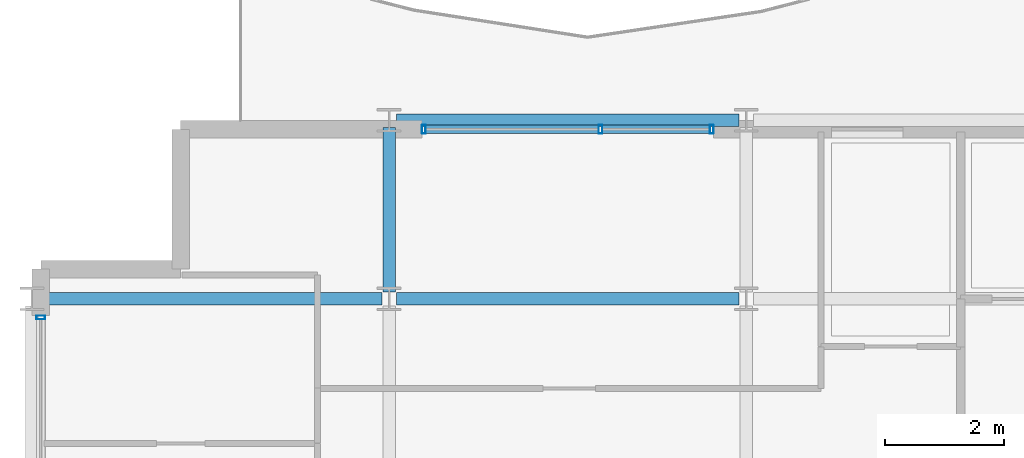
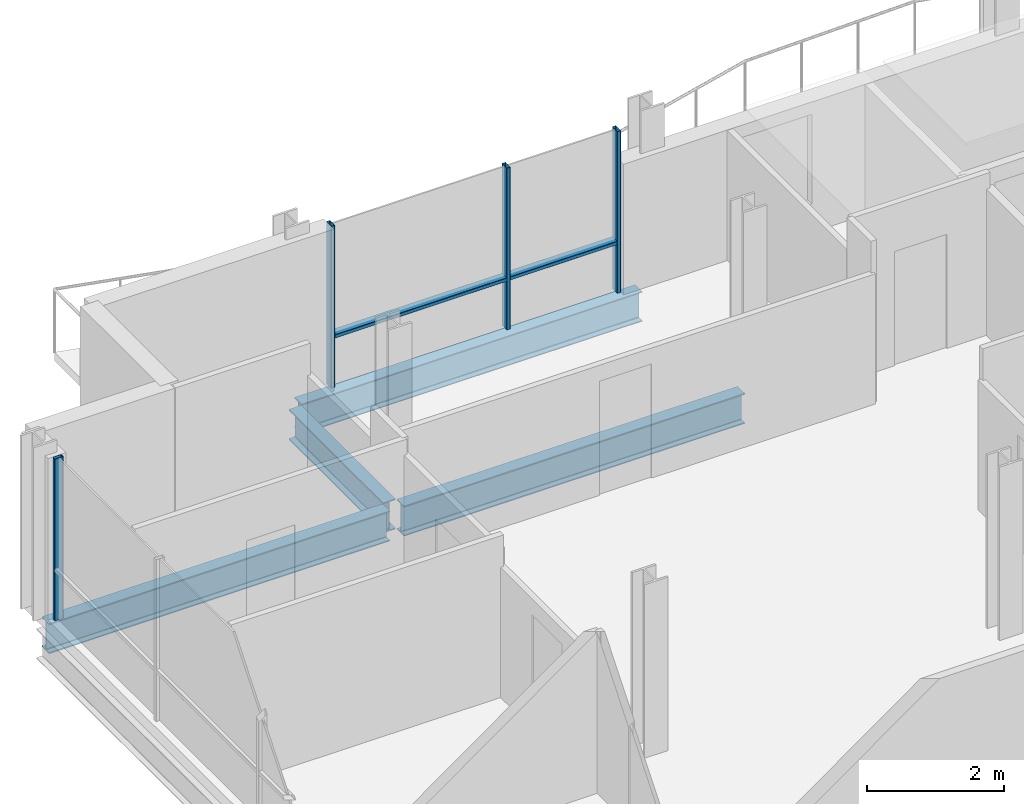
# One storey, part 8 of 35: 6 members, 4 beams, 2 elements without a shape of their own.
"""IFC4 building model written with IfcOpenShell, lengths in metres."""

import ifcopenshell
import ifcopenshell.guid

model = None  # the IFC model being written
_history = None  # IfcOwnerHistory: only IFC2X3 demands one
_inside = {}  # id of a spatial element -> (the spatial element, [elements in it])
_under = {}  # id of a project, library or spatial element -> (it, [spatial elements below it])
_declared = {}  # id of a project -> (the project, [libraries it declares])
_typed = {}  # id of a type object -> (the type object, [elements of that type])
_made_of = {}  # id of a material, layer set ... -> (it, [elements and type objects made of it])


def new_model(schema):
    """Start an empty IFC model of exactly this schema.

    Asked for "IFC4X3", IfcOpenShell would pick the latest addendum, in which some entities
    have other attributes; the version numbers below select the first issue.
    IFC2X3 requires an IfcOwnerHistory on every rooted entity: one is made here for all.
    """
    global model, _history
    if schema == "IFC4X3":
        model = ifcopenshell.file(schema_version=(4, 3, 0, 0))
    else:
        model = ifcopenshell.file(schema=schema)
    _inside.clear()
    _under.clear()
    _declared.clear()
    _typed.clear()
    _made_of.clear()
    _history = None
    if model.schema == "IFC2X3":
        org = make("IfcOrganization", Name="unknown")
        user = make(
            "IfcPersonAndOrganization",
            ThePerson=make("IfcPerson", FamilyName="unknown"),
            TheOrganization=org,
        )
        app = make(
            "IfcApplication",
            ApplicationDeveloper=org,
            Version="unknown",
            ApplicationFullName="unknown",
            ApplicationIdentifier="unknown",
        )
        _history = make(
            "IfcOwnerHistory",
            OwningUser=user,
            OwningApplication=app,
            ChangeAction="ADDED",
            CreationDate=0,
        )
    return model


def make(cls, **values):
    """One entity of the class cls with the attributes given. An attribute that is None is left unset."""
    return model.create_entity(
        cls, **{name: value for name, value in values.items() if value is not None}
    )


def rooted(cls, **values):
    """An entity with a GlobalId (a new one), such as an element, a storey or a relation."""
    return make(cls, GlobalId=ifcopenshell.guid.new(), OwnerHistory=_history, **values)


def si_unit(unit_type, name, prefix=None):
    """IfcSIUnit, for example si_unit("LENGTHUNIT", "METRE", prefix="MILLI")."""
    return make("IfcSIUnit", UnitType=unit_type, Prefix=prefix, Name=name)


def assignment(units):
    """IfcUnitAssignment: the units of a project."""
    return None if units is None else make("IfcUnitAssignment", Units=units)


def point(xyz):
    """IfcCartesianPoint."""
    return None if xyz is None else make("IfcCartesianPoint", Coordinates=xyz)


def direction(xyz):
    """IfcDirection."""
    return None if xyz is None else make("IfcDirection", DirectionRatios=xyz)


def frame(location, z_axis=None, x_axis=None):
    """IfcAxis2Placement3D, a coordinate frame: its origin and axes. An axis left out is left unset."""
    return make(
        "IfcAxis2Placement3D",
        Location=point(location),
        Axis=direction(z_axis),
        RefDirection=direction(x_axis),
    )


def frame_2d(location, x_axis=None):
    """IfcAxis2Placement2D, a coordinate frame in the plane: its origin and x axis."""
    return make(
        "IfcAxis2Placement2D", Location=point(location), RefDirection=direction(x_axis)
    )


def origin():
    """The frame at (0, 0, 0) with its axes left unset."""
    return frame((0.0, 0.0, 0.0))


def origin_2d():
    """The frame at (0, 0) in the plane with its x axis left unset."""
    return frame_2d((0.0, 0.0))


def place(relative_to, where):
    """IfcLocalPlacement: puts the frame where relative to a parent placement (None: the world)."""
    return make(
        "IfcLocalPlacement", PlacementRelTo=relative_to, RelativePlacement=where
    )


def context(
    kind, dimensions, precision=None, world=None, true_north=None, identifier=None
):
    """IfcGeometricRepresentationContext, for example the 3D "Model" context."""
    return make(
        "IfcGeometricRepresentationContext",
        ContextIdentifier=identifier,
        ContextType=kind,
        CoordinateSpaceDimension=dimensions,
        Precision=precision,
        WorldCoordinateSystem=world,
        TrueNorth=true_north,
    )


def subcontext(parent, identifier, kind, view, scale=None):
    """IfcGeometricRepresentationSubContext, for example "Body" below "Model"."""
    return make(
        "IfcGeometricRepresentationSubContext",
        ContextIdentifier=identifier,
        ContextType=kind,
        ParentContext=parent,
        TargetScale=scale,
        TargetView=view,
    )


def project(units=None, contexts=None):
    """IfcProject with its units and contexts."""
    return rooted(
        "IfcProject",
        Name="project",
        RepresentationContexts=contexts,
        UnitsInContext=assignment(units),
    )


def spatial(cls, under=None, at=None, **own):
    """A site, building, storey or space (cls), placed at a placement, below another one or the project."""
    s = rooted(cls, ObjectPlacement=at, **own)
    if under is not None:
        _under.setdefault(under.id(), (under, []))[1].append(s)
    return s


def profile(cls, at=None, kind="AREA", **sizes):
    """A parametric profile (cls). Its sizes go by their IFC names, for example OverallWidth=200.0."""
    return make(cls, ProfileType=kind, Position=at, **sizes)


def hollow_rectangle(**sizes):
    """IfcRectangleHollowProfileDef."""
    return profile("IfcRectangleHollowProfileDef", **sizes)


def i_section(**sizes):
    """IfcIShapeProfileDef."""
    return profile("IfcIShapeProfileDef", **sizes)


def extrude(swept, where, along, depth):
    """IfcExtrudedAreaSolid: the profile swept, set in the frame where, extruded along a direction by depth."""
    return make(
        "IfcExtrudedAreaSolid",
        SweptArea=swept,
        Position=where,
        ExtrudedDirection=direction(along),
        Depth=depth,
    )


def shape(context_of_items, identifier, shape_type, items):
    """IfcShapeRepresentation: the items that make up one representation, for example the "Body"."""
    return make(
        "IfcShapeRepresentation",
        ContextOfItems=context_of_items,
        RepresentationIdentifier=identifier,
        RepresentationType=shape_type,
        Items=items,
    )


def material(Name=None, Category=None):
    """IfcMaterial."""
    return make("IfcMaterial", Name=Name, Category=Category)


def layer(
    of_material, thickness, ventilated=None, Name=None, Category=None, Priority=None
):
    """IfcMaterialLayer: one layer of a wall or slab, of a material (None: an air gap)."""
    return make(
        "IfcMaterialLayer",
        Material=of_material,
        LayerThickness=thickness,
        IsVentilated=ventilated,
        Name=Name,
        Category=Category,
        Priority=Priority,
    )


def layer_set(layers, Name=None):
    """IfcMaterialLayerSet."""
    return make("IfcMaterialLayerSet", MaterialLayers=layers, LayerSetName=Name)


def material_profile(
    of_material, cross_section, Name=None, Category=None, Priority=None
):
    """IfcMaterialProfile: a cross section and its material."""
    return make(
        "IfcMaterialProfile",
        Name=Name,
        Material=of_material,
        Profile=cross_section,
        Priority=Priority,
        Category=Category,
    )


def profile_set(profiles, Name=None, composite=None):
    """IfcMaterialProfileSet."""
    return make(
        "IfcMaterialProfileSet",
        Name=Name,
        MaterialProfiles=profiles,
        CompositeProfile=composite,
    )


def made_of(thing, what):
    """Note that an element or type object is made of a material, layer set ...; save() writes the relation."""
    if what is not None:
        _made_of.setdefault(what.id(), (what, []))[1].append(thing)
    return thing


def type_object(cls, material=None, **own):
    """A type object (cls), such as IfcWallType, which elements share."""
    return made_of(rooted(cls, **own), material)


def element(
    cls,
    number,
    at=None,
    inside=None,
    cuts=None,
    type_object=None,
    material=None,
    context=None,
    identifier="Body",
    shape_type=None,
    held_by="IfcProductDefinitionShape",
    body=None,
    shapes=None,
    **own,
):
    """One element of the class cls, such as IfcWall. Its Tag is "e" and its number.

    at: its placement. inside: the storey or other place that contains it. cuts: it is an
    opening in that element (IfcRelVoidsElement). A single representation is given by context,
    identifier, shape_type and body (its items); several are given by shapes. held_by: the class
    of the entity that holds the representations. save() writes the other relations.
    """
    e = rooted(cls, Tag="e%d" % number, ObjectPlacement=at, **own)
    if body is not None:
        shapes = [shape(context, identifier, shape_type, body)]
    if shapes is not None:
        e.Representation = make(held_by, Representations=shapes)
    if inside is not None:
        _inside.setdefault(inside.id(), (inside, []))[1].append(e)
    if cuts is not None:
        rooted(
            "IfcRelVoidsElement", RelatingBuildingElement=cuts, RelatedOpeningElement=e
        )
    if type_object is not None:
        _typed.setdefault(type_object.id(), (type_object, []))[1].append(e)
    return made_of(e, material)


def aggregate(whole, parts):
    """IfcRelAggregates: a whole, such as a stair, and the parts it consists of."""
    return rooted("IfcRelAggregates", RelatingObject=whole, RelatedObjects=parts)


def save(model, path):
    """Write the relations noted so far, then the file.

    IfcRelAggregates (storeys below a building ...), IfcRelContainedInSpatialStructure (elements
    in a storey), IfcRelDefinesByType, IfcRelAssociatesMaterial and IfcRelDeclares: one each for
    every whole, place, type object, material and project.
    """
    for whole, parts in _under.values():
        aggregate(whole, parts)
    for where, things in _inside.values():
        rooted(
            "IfcRelContainedInSpatialStructure",
            RelatedElements=things,
            RelatingStructure=where,
        )
    for kind, things in _typed.values():
        rooted("IfcRelDefinesByType", RelatedObjects=things, RelatingType=kind)
    for what, things in _made_of.values():
        rooted("IfcRelAssociatesMaterial", RelatedObjects=things, RelatingMaterial=what)
    for by, libraries in _declared.values():
        rooted("IfcRelDeclares", RelatingContext=by, RelatedDefinitions=libraries)
    model.write(path)


model = new_model("IFC4")

# Units and contexts
model_context = context("Model", 3, precision=1e-05, world=origin(), true_north=direction((0.0, 1.0)))
body_context = subcontext(model_context, "Body", "Model", "MODEL_VIEW")
ifc_project = project(units=[si_unit("LENGTHUNIT", "METRE"), si_unit("AREAUNIT", "SQUARE_METRE"), si_unit("VOLUMEUNIT", "CUBIC_METRE"), si_unit("PLANEANGLEUNIT", "RADIAN"), si_unit("MASSUNIT", "GRAM", prefix="KILO")], contexts=[model_context])

# Site, building, storey
site_placement = place(None, origin())
site = spatial("IfcSite", under=ifc_project, at=site_placement, CompositionType="ELEMENT")
building_placement = place(site_placement, origin())
building = spatial("IfcBuilding", under=site, at=building_placement, Name="Brevholm Reach", CompositionType="ELEMENT")
storey_placement = place(building_placement, frame((0.0, 0.0, 183.199951171875)))
storey = spatial("IfcBuildingStorey", under=building, at=storey_placement, Name="L55", CompositionType="ELEMENT", Elevation=183.199951171875)

# Beams
ifc_material_1 = material(Name="Structural Steel S355J2", Category="steel")
ifc_material_profile_1 = material_profile(ifc_material_1, i_section(OverallWidth=0.209228515625, OverallDepth=0.533203125, WebThickness=0.010009765625, FlangeThickness=0.015625, FilletRadius=0.0126953125, at=origin_2d()), Name="UKB 533x210x92")
ifc_profile_set_1 = profile_set([ifc_material_profile_1], Name="Structural Steel S355J2")
beam_type_1 = type_object("IfcBeamType", Name="BM-SP533", PredefinedType="SPANDREL", material=ifc_profile_set_1)
beam_1_placement = place(storey_placement, frame((6.1201171875, 26.5, -0.4765625), z_axis=(1.0, 0.0, 0.0), x_axis=(0.0, 1.0, 0.0)))
element("IfcBeam", 1, at=beam_1_placement, inside=storey, type_object=beam_type_1, Name="L55 SP-02 Framing Beam", PredefinedType="SPANDREL", context=body_context, shape_type="SweptSolid", body=[
    extrude(i_section(OverallWidth=0.209228515625, OverallDepth=0.533203125, WebThickness=0.010009765625, FlangeThickness=0.015625, FilletRadius=0.0126953125, at=origin_2d()), origin(), (0.0, 0.0, 1.0), 5.759765625),
])
ifc_material_2 = material(Name="Structural Steel S355J2", Category="steel")
ifc_material_profile_2 = material_profile(ifc_material_2, i_section(OverallWidth=0.210693359375, OverallDepth=0.53955078125, WebThickness=0.01171875, FlangeThickness=0.018798828125, FilletRadius=0.0126953125, at=origin_2d()), Name="UKB 533x210x109")
ifc_profile_set_2 = profile_set([ifc_material_profile_2], Name="Structural Steel S355J2")
beam_type_2 = type_object("IfcBeamType", Name="BM-SP539", PredefinedType="SPANDREL", material=ifc_profile_set_2)
for number, where, z_axis, x_axis, name in (
    (2, (0.1201171875, 23.5, -0.479736328125), (1.0, 0.0, 0.0), (0.0, 1.0, 0.0), "L55 SP-01B Framing Beam"),
    (3, (6.1201171875, 23.5, -0.479736328125), (1.0, 0.0, 0.0), (0.0, 1.0, 0.0), "L55 SP-01B Framing Beam"),
):
    element("IfcBeam", number, at=place(storey_placement, frame(where, z_axis=z_axis, x_axis=x_axis)), inside=storey, type_object=beam_type_2, Name=name, PredefinedType="SPANDREL", context=body_context, shape_type="SweptSolid", body=[
        extrude(i_section(OverallWidth=0.210693359375, OverallDepth=0.53955078125, WebThickness=0.01171875, FlangeThickness=0.018798828125, FilletRadius=0.0126953125, at=origin_2d()), origin(), (0.0, 0.0, 1.0), 5.759765625),
    ])
beam_2_placement = place(storey_placement, frame((6.0, 23.6201171875, -0.479736328125), z_axis=(0.0, 1.0, 0.0), x_axis=(-1.0, 0.0, 0.0)))
element("IfcBeam", 4, at=beam_2_placement, inside=storey, type_object=beam_type_2, Name="L55 SP-01B Framing Beam", PredefinedType="SPANDREL", context=body_context, shape_type="SweptSolid", body=[
    extrude(i_section(OverallWidth=0.210693359375, OverallDepth=0.53955078125, WebThickness=0.01171875, FlangeThickness=0.018798828125, FilletRadius=0.0126953125, at=origin_2d()), origin(), (0.0, 0.0, 1.0), 2.759765625),
])

# Curtain wall, member
ifc_material_3 = material(Name="Dark Anodised Aluminium 6063-T6 and Solar-Control Glass", Category="aluminium")
ifc_layer = layer(ifc_material_3, 0.14990234375)
ifc_layer_set = layer_set([ifc_layer], Name="Dark Anodised Aluminium 6063-T6 and Solar-Control Glass")
curtain_wall_type = type_object("IfcCurtainWallType", Name="CW-01", PredefinedType="NOTDEFINED", material=ifc_layer_set)
curtain_wall_1_placement = place(storey_placement, origin())
curtain_wall_1 = element("IfcCurtainWall", 5, at=curtain_wall_1_placement, inside=storey, type_object=curtain_wall_type, Name="L55 Curtain Wall CW-01", PredefinedType="NOTDEFINED")
ifc_material_4 = material(Name="Dark Anodised Aluminium 6063-T6", Category="aluminium")
ifc_material_profile_3 = material_profile(ifc_material_4, hollow_rectangle(XDim=0.06494140625, YDim=0.14990234375, WallThickness=0.0048828125, InnerFilletRadius=0.0048828125, OuterFilletRadius=0.010009765625, at=origin_2d()), Name="RHS 150x65x5")
ifc_profile_set_3 = profile_set([ifc_material_profile_3], Name="Dark Anodised Aluminium 6063-T6")
member_type_1 = type_object("IfcMemberType", Name="CWM-150", PredefinedType="MULLION", material=ifc_profile_set_3)
member_1_placement = place(storey_placement, frame((0.14990234375, 23.1875, 0.0), z_axis=(0.0, 0.0, 1.0), x_axis=(0.0, -1.0, 0.0)))
member_1 = element("IfcMember", 6, at=member_1_placement, type_object=member_type_1, Name="CM-150 Mullion 1", PredefinedType="MULLION", context=body_context, shape_type="SweptSolid", body=[
    extrude(hollow_rectangle(XDim=0.06494140625, YDim=0.14990234375, WallThickness=0.0048828125, InnerFilletRadius=0.0048828125, OuterFilletRadius=0.010009765625, at=origin_2d()), origin(), (0.0, 0.0, 1.0), 2.89013671875),
])
aggregate(curtain_wall_1, [member_1])

# Curtain wall, members
curtain_wall_2_placement = place(storey_placement, origin())
curtain_wall_2 = element("IfcCurtainWall", 7, at=curtain_wall_2_placement, inside=storey, type_object=curtain_wall_type, Name="L55 Curtain Wall CW-01", PredefinedType="NOTDEFINED")
member_2_placement = place(storey_placement, frame((6.58251953125, 26.35009765625, 0.0), z_axis=(0.0, 0.0, 1.0), x_axis=(1.0, 0.0, 0.0)))
member_2 = element("IfcMember", 8, at=member_2_placement, type_object=member_type_1, Name="CM-150 Mullion 1", PredefinedType="MULLION", context=body_context, shape_type="SweptSolid", body=[
    extrude(hollow_rectangle(XDim=0.06494140625, YDim=0.14990234375, WallThickness=0.0048828125, InnerFilletRadius=0.0048828125, OuterFilletRadius=0.010009765625, at=origin_2d()), origin(), (0.0, 0.0, 1.0), 2.89013671875),
])
member_3_placement = place(storey_placement, frame((9.550048828125, 26.35009765625, 0.0), z_axis=(0.0, 0.0, 1.0), x_axis=(1.0, 0.0, 0.0)))
member_3 = element("IfcMember", 9, at=member_3_placement, type_object=member_type_1, Name="CM-150 Mullion 2", PredefinedType="MULLION", context=body_context, shape_type="SweptSolid", body=[
    extrude(hollow_rectangle(XDim=0.06494140625, YDim=0.14990234375, WallThickness=0.0048828125, InnerFilletRadius=0.0048828125, OuterFilletRadius=0.010009765625, at=origin_2d()), origin(), (0.0, 0.0, 1.0), 2.89013671875),
])
member_4_placement = place(storey_placement, frame((11.41748046875, 26.35009765625, 0.0), z_axis=(0.0, 0.0, 1.0), x_axis=(1.0, 0.0, 0.0)))
member_4 = element("IfcMember", 10, at=member_4_placement, type_object=member_type_1, Name="CM-150 Mullion 3", PredefinedType="MULLION", context=body_context, shape_type="SweptSolid", body=[
    extrude(hollow_rectangle(XDim=0.06494140625, YDim=0.14990234375, WallThickness=0.0048828125, InnerFilletRadius=0.0048828125, OuterFilletRadius=0.010009765625, at=origin_2d()), origin(), (0.0, 0.0, 1.0), 2.89013671875),
])
ifc_material_5 = material(Name="Dark Anodised Aluminium 6063-T6", Category="aluminium")
ifc_material_profile_4 = material_profile(ifc_material_5, hollow_rectangle(XDim=0.06494140625, YDim=0.14990234375, WallThickness=0.0048828125, InnerFilletRadius=0.0048828125, OuterFilletRadius=0.010009765625, at=origin_2d()), Name="RHS 150x65x5")
ifc_profile_set_4 = profile_set([ifc_material_profile_4], Name="Dark Anodised Aluminium 6063-T6")
member_type_2 = type_object("IfcMemberType", Name="CWT-150", PredefinedType="NOTDEFINED", material=ifc_profile_set_4)
member_5_placement = place(storey_placement, frame((6.614990234375, 26.35009765625, 0.900146484375), z_axis=(1.0, 0.0, 0.0), x_axis=(0.0, 0.0, 1.0)))
member_5 = element("IfcMember", 11, at=member_5_placement, type_object=member_type_2, Name="CT-150 Transom 1.1", ObjectType="TRANSOM", PredefinedType="USERDEFINED", context=body_context, shape_type="SweptSolid", body=[
    extrude(hollow_rectangle(XDim=0.06494140625, YDim=0.14990234375, WallThickness=0.0048828125, InnerFilletRadius=0.0048828125, OuterFilletRadius=0.010009765625, at=origin_2d()), origin(), (0.0, 0.0, 1.0), 2.902587890625),
])
member_6_placement = place(storey_placement, frame((9.58251953125, 26.35009765625, 0.900146484375), z_axis=(1.0, 0.0, 0.0), x_axis=(0.0, 0.0, 1.0)))
member_6 = element("IfcMember", 12, at=member_6_placement, type_object=member_type_2, Name="CT-150 Transom 2.1", ObjectType="TRANSOM", PredefinedType="USERDEFINED", context=body_context, shape_type="SweptSolid", body=[
    extrude(hollow_rectangle(XDim=0.06494140625, YDim=0.14990234375, WallThickness=0.0048828125, InnerFilletRadius=0.0048828125, OuterFilletRadius=0.010009765625, at=origin_2d()), origin(), (0.0, 0.0, 1.0), 1.802490234375),
])
aggregate(curtain_wall_2, [member_2, member_3, member_4, member_5, member_6])

save(model, "model.ifc")
